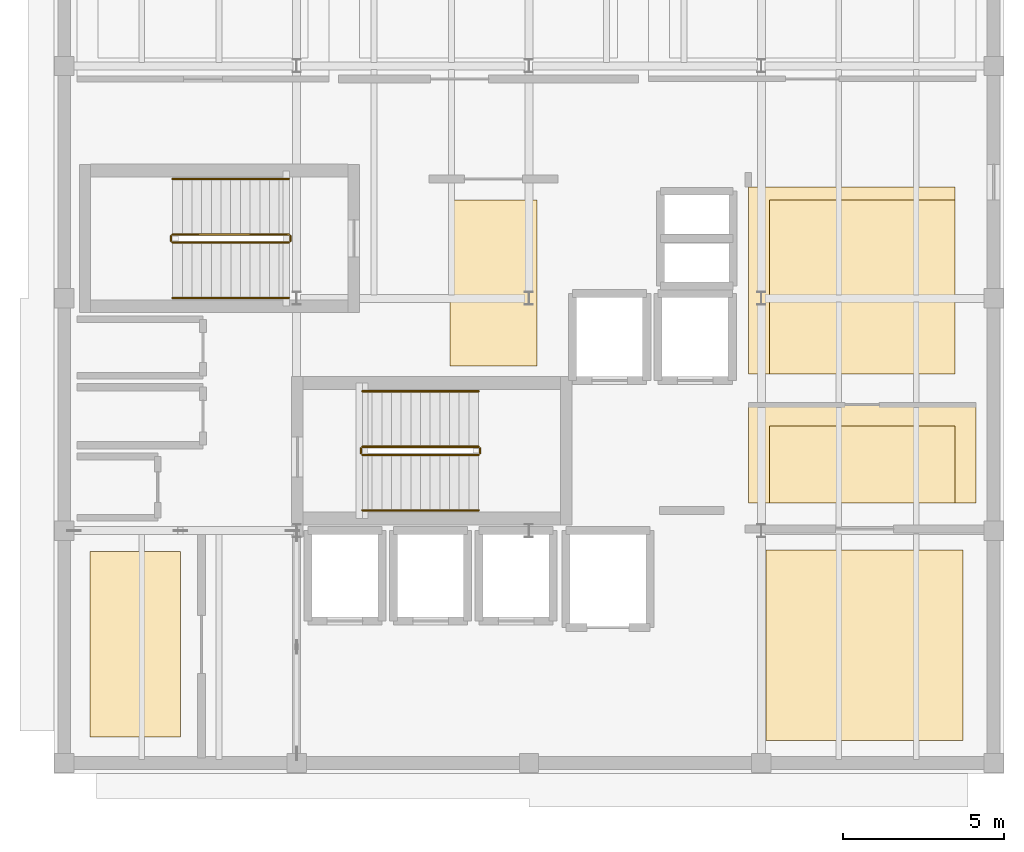
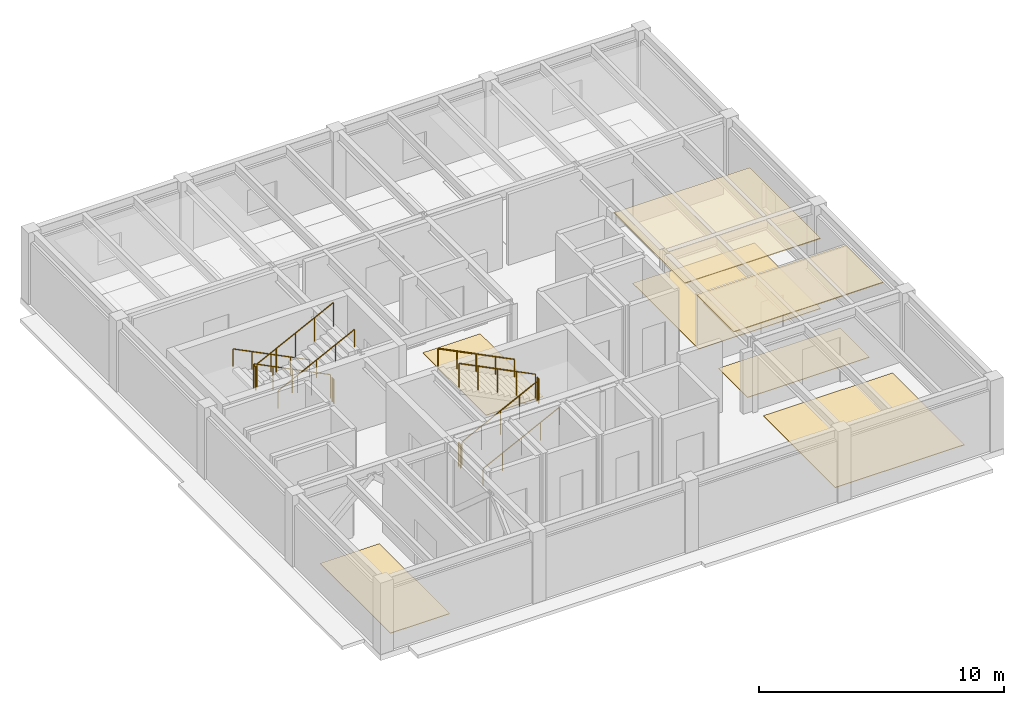
# One storey, part 7 of 8: 12 railings, 7 coverings.
"""IFC4 building model written with IfcOpenShell, lengths in metres."""

from ifc_helpers import new_model, si_unit, direction, frame, origin, origin_2d, place, context, subcontext, project, spatial, polyline, circle, outline, extrude, material, layer, layer_set, type_object, element, save


model = new_model("IFC4")

# Units and contexts
model_context = context("Model", 3, precision=1e-05, world=origin(), true_north=direction((0.0, 1.0)))
body_context = subcontext(model_context, "Body", "Model", "MODEL_VIEW")
ifc_project = project(units=[si_unit("LENGTHUNIT", "METRE"), si_unit("AREAUNIT", "SQUARE_METRE"), si_unit("VOLUMEUNIT", "CUBIC_METRE"), si_unit("PLANEANGLEUNIT", "RADIAN"), si_unit("MASSUNIT", "GRAM", prefix="KILO")], contexts=[model_context])

# Site, building, storey
site_placement = place(None, origin())
site = spatial("IfcSite", under=ifc_project, at=site_placement, CompositionType="ELEMENT")
building_placement = place(site_placement, origin())
building = spatial("IfcBuilding", under=site, at=building_placement, Name="Kandorven Conservatory and Botanical Research Centre", CompositionType="ELEMENT")
storey_placement = place(building_placement, frame((0.0, 0.0, 32.699951171875)))
storey = spatial("IfcBuildingStorey", under=building, at=storey_placement, Name="L08", CompositionType="ELEMENT", Elevation=32.699951171875)

# Coverings
ifc_material_1 = material(Name="Perforated mineral-fibre acoustic ceiling tile", Category="gypsum")
ifc_layer_1 = layer(ifc_material_1, 0.0400390625)
ifc_layer_set_1 = layer_set([ifc_layer_1], Name="Perforated mineral-fibre acoustic ceiling tile")
covering_type_1 = type_object("IfcCoveringType", Name="Cov_Ceiling_1", PredefinedType="CEILING", material=ifc_layer_set_1)
covering_1_placement = place(storey_placement, frame((0.0, 0.0, 3.5)))
element("IfcCovering", 1, at=covering_1_placement, inside=storey, type_object=covering_type_1, Name="Suspended acoustic ceiling CLG-01 (Flora Taxonomy Microscopy Laboratory L08)", PredefinedType="CEILING", context=body_context, shape_type="SweptSolid", body=[
    extrude(outline(polyline([(27.199951171875, 14.050048828125), (34.25, 14.050048828125), (34.25, 17.10009765625), (27.199951171875, 17.10009765625), (27.199951171875, 14.050048828125)])), origin(), (0.0, 0.0, 1.0), 0.0400390625),
])
covering_2_placement = place(storey_placement, frame((0.0, 0.0, 3.5)))
element("IfcCovering", 2, at=covering_2_placement, inside=storey, type_object=covering_type_1, Name="Suspended acoustic ceiling CLG-01 (Herbarium Digitisation and Imaging Studio L08)", PredefinedType="CEILING", context=body_context, shape_type="SweptSolid", body=[
    extrude(outline(polyline([(27.199951171875, 18.050048828125), (33.60009765625, 18.050048828125), (33.60009765625, 23.85009765625), (27.199951171875, 23.85009765625), (27.199951171875, 18.050048828125)])), origin(), (0.0, 0.0, 1.0), 0.0400390625),
])
ifc_material_2 = material(Name="Honed Kota stone and epoxy laboratory flooring", Category="masonry")
ifc_layer_2 = layer(ifc_material_2, 0.02490234375)
ifc_layer_set_2 = layer_set([ifc_layer_2], Name="Honed Kota stone and epoxy laboratory flooring")
covering_type_2 = type_object("IfcCoveringType", Name="Cov_Flooring_1", PredefinedType="FLOORING", material=ifc_layer_set_2)
covering_3_placement = place(storey_placement, origin())
element("IfcCovering", 3, at=covering_3_placement, inside=storey, type_object=covering_type_2, Name="Floor finish FLR-01 (Herbarium Bryophyte Collection Vault L08)", PredefinedType="FLOORING", context=body_context, shape_type="SweptSolid", body=[
    extrude(outline(polyline([(17.949951171875, 18.300048828125), (20.64990234375, 18.300048828125), (20.64990234375, 23.449951171875), (17.949951171875, 23.449951171875), (17.949951171875, 18.300048828125)])), origin(), (0.0, 0.0, 1.0), 0.025146484375),
])
covering_4_placement = place(storey_placement, origin())
element("IfcCovering", 4, at=covering_4_placement, inside=storey, type_object=covering_type_2, Name="Floor finish FLR-01 (Flora Taxonomy Microscopy Laboratory L08)", PredefinedType="FLOORING", context=body_context, shape_type="SweptSolid", body=[
    extrude(outline(polyline([(27.85009765625, 14.050048828125), (33.60009765625, 14.050048828125), (33.60009765625, 16.449951171875), (27.85009765625, 16.449951171875), (27.85009765625, 14.050048828125)])), origin(), (0.0, 0.0, 1.0), 0.025146484375),
])
covering_5_placement = place(storey_placement, origin())
element("IfcCovering", 5, at=covering_5_placement, inside=storey, type_object=covering_type_2, Name="Floor finish FLR-01 (Herbarium Type Specimen Vault L08)", PredefinedType="FLOORING", context=body_context, shape_type="SweptSolid", body=[
    extrude(outline(polyline([(6.800048828125, 6.800048828125), (9.60009765625, 6.800048828125), (9.60009765625, 12.550048828125), (6.800048828125, 12.550048828125), (6.800048828125, 6.800048828125)])), origin(), (0.0, 0.0, 1.0), 0.025146484375),
])
covering_6_placement = place(storey_placement, origin())
element("IfcCovering", 6, at=covering_6_placement, inside=storey, type_object=covering_type_2, Name="Floor finish FLR-01 (Herbarium Vascular Specimen Collection Vault L08)", PredefinedType="FLOORING", context=body_context, shape_type="SweptSolid", body=[
    extrude(outline(polyline([(27.75, 6.699951171875), (33.85009765625, 6.699951171875), (33.85009765625, 12.60009765625), (27.75, 12.60009765625), (27.75, 6.699951171875)])), origin(), (0.0, 0.0, 1.0), 0.025146484375),
])
covering_7_placement = place(storey_placement, origin())
element("IfcCovering", 7, at=covering_7_placement, inside=storey, type_object=covering_type_2, Name="Floor finish FLR-01 (Herbarium Digitisation and Imaging Studio L08)", PredefinedType="FLOORING", context=body_context, shape_type="SweptSolid", body=[
    extrude(outline(polyline([(27.85009765625, 18.050048828125), (33.60009765625, 18.050048828125), (33.60009765625, 23.449951171875), (27.85009765625, 23.449951171875), (27.85009765625, 18.050048828125)])), origin(), (0.0, 0.0, 1.0), 0.025146484375),
])

# Railings
ifc_material_3 = material(Name="Steel S355 (IS 2062 E350)", Category="steel")
railing_type_1 = type_object("IfcRailingType", Name="StairGuard_1150", PredefinedType="BALUSTRADE", material=ifc_material_3)
railing_1_placement = place(storey_placement, frame((15.239990234375, 15.550048828125, 0.150146484375)))
element("IfcRailing", 8, at=railing_1_placement, inside=storey, type_object=railing_type_1, Name="L08 ST-T1 stair guard 1", PredefinedType="BALUSTRADE", context=body_context, shape_type="SweptSolid", body=[
    extrude(circle(Radius=0.02392578125, at=origin_2d()), frame((0.0, 0.0, 1.17578125), z_axis=(0.894451452574, 0.0, 0.447165069061), x_axis=(0.0, 1.0, 0.0)), (0.0, 0.0, 1.0), 4.02490234375),
    extrude(circle(Radius=0.02099609375, at=origin_2d()), origin(), (0.0, 0.0, 1.0), 1.15185546875),
    extrude(circle(Radius=0.02099609375, at=origin_2d()), frame((0.89990234375, 0.0, 0.449951171875)), (0.0, 0.0, 1.0), 1.15185546875),
    extrude(circle(Radius=0.02099609375, at=origin_2d()), frame((1.800048828125, 0.0, 0.89990234375)), (0.0, 0.0, 1.0), 1.15185546875),
    extrude(circle(Radius=0.02099609375, at=origin_2d()), frame((2.7001953125, 0.0, 1.349853515625)), (0.0, 0.0, 1.0), 1.15185546875),
    extrude(circle(Radius=0.02099609375, at=origin_2d()), frame((3.60009765625, 0.0, 1.7998046875)), (0.0, 0.0, 1.0), 1.15185546875),
])
railing_2_placement = place(storey_placement, frame((18.889892578125, 15.60009765625, 1.949951171875)))
element("IfcRailing", 9, at=railing_2_placement, inside=storey, type_object=railing_type_1, Name="L08 ST-T1 stair guard 2", PredefinedType="BALUSTRADE", context=body_context, shape_type="SweptSolid", body=[
    extrude(circle(Radius=0.02392578125, at=origin_2d()), frame((0.0, 0.0, 1.17578125), z_axis=(0.0, 1.0, 0.0), x_axis=(-1.0, 0.0, 0.0)), (0.0, 0.0, 1.0), 0.14990234375),
    extrude(circle(Radius=0.02099609375, at=origin_2d()), origin(), (0.0, 0.0, 1.0), 1.15185546875),
    extrude(circle(Radius=0.02099609375, at=origin_2d()), frame((0.0, 0.14990234375, 0.0)), (0.0, 0.0, 1.0), 1.15185546875),
])
railing_3_placement = place(storey_placement, frame((18.840087890625, 15.800048828125, 2.10009765625)))
element("IfcRailing", 10, at=railing_3_placement, inside=storey, type_object=railing_type_1, Name="L08 ST-T1 stair guard 3", PredefinedType="BALUSTRADE", context=body_context, shape_type="SweptSolid", body=[
    extrude(circle(Radius=0.02392578125, at=origin_2d()), frame((0.0, 0.0, 1.17578125), z_axis=(-0.894427191, 0.0, 0.4472135955), x_axis=(0.0, -1.0, 0.0)), (0.0, 0.0, 1.0), 4.025146484375),
    extrude(circle(Radius=0.02099609375, at=origin_2d()), origin(), (0.0, 0.0, 1.0), 1.15185546875),
    extrude(circle(Radius=0.02099609375, at=origin_2d()), frame((-0.89990234375, 0.0, 0.449951171875)), (0.0, 0.0, 1.0), 1.15185546875),
    extrude(circle(Radius=0.02099609375, at=origin_2d()), frame((-1.800048828125, 0.0, 0.89990234375)), (0.0, 0.0, 1.0), 1.15185546875),
    extrude(circle(Radius=0.02099609375, at=origin_2d()), frame((-2.7001953125, 0.0, 1.35009765625)), (0.0, 0.0, 1.0), 1.15185546875),
    extrude(circle(Radius=0.02099609375, at=origin_2d()), frame((-3.60009765625, 0.0, 1.800048828125)), (0.0, 0.0, 1.0), 1.15185546875),
])
railing_4_placement = place(storey_placement, frame((15.18994140625, 15.60009765625, 0.0)))
element("IfcRailing", 11, at=railing_4_placement, inside=storey, type_object=railing_type_1, Name="L08 ST-T1 stair guard 4", PredefinedType="BALUSTRADE", context=body_context, shape_type="SweptSolid", body=[
    extrude(circle(Radius=0.02392578125, at=origin_2d()), frame((0.0, 0.0, 1.17578125), z_axis=(0.0, 1.0, 0.0), x_axis=(-1.0, 0.0, 0.0)), (0.0, 0.0, 1.0), 0.14990234375),
    extrude(circle(Radius=0.02099609375, at=origin_2d()), origin(), (0.0, 0.0, 1.0), 1.15185546875),
    extrude(circle(Radius=0.02099609375, at=origin_2d()), frame((0.0, 0.14990234375, 0.0)), (0.0, 0.0, 1.0), 1.15185546875),
])
railing_5_placement = place(storey_placement, frame((12.9599609375, 22.3798828125, 0.150146484375)))
element("IfcRailing", 12, at=railing_5_placement, inside=storey, type_object=railing_type_1, Name="L08 ST-T2 stair guard 1", PredefinedType="BALUSTRADE", context=body_context, shape_type="SweptSolid", body=[
    extrude(circle(Radius=0.02392578125, at=origin_2d()), frame((0.0, 0.0, 1.17578125), z_axis=(-0.894439322774, 0.0, 0.447189331129), x_axis=(0.0, -1.0, 0.0)), (0.0, 0.0, 1.0), 4.024658203125),
    extrude(circle(Radius=0.02099609375, at=origin_2d()), origin(), (0.0, 0.0, 1.0), 1.15185546875),
    extrude(circle(Radius=0.02099609375, at=origin_2d()), frame((-0.89990234375, 0.0, 0.449951171875)), (0.0, 0.0, 1.0), 1.15185546875),
    extrude(circle(Radius=0.02099609375, at=origin_2d()), frame((-1.7998046875, 0.0, 0.89990234375)), (0.0, 0.0, 1.0), 1.15185546875),
    extrude(circle(Radius=0.02099609375, at=origin_2d()), frame((-2.699951171875, 0.0, 1.349853515625)), (0.0, 0.0, 1.0), 1.15185546875),
    extrude(circle(Radius=0.02099609375, at=origin_2d()), frame((-3.599853515625, 0.0, 1.7998046875)), (0.0, 0.0, 1.0), 1.15185546875),
])
railing_6_placement = place(storey_placement, frame((9.31005859375, 22.330078125, 1.949951171875)))
element("IfcRailing", 13, at=railing_6_placement, inside=storey, type_object=railing_type_1, Name="L08 ST-T2 stair guard 2", PredefinedType="BALUSTRADE", context=body_context, shape_type="SweptSolid", body=[
    extrude(circle(Radius=0.02392578125, at=origin_2d()), frame((0.0, 0.0, 1.17578125), z_axis=(0.0, -1.0, 0.0), x_axis=(1.0, 0.0, 0.0)), (0.0, 0.0, 1.0), 0.150146484375),
    extrude(circle(Radius=0.02099609375, at=origin_2d()), origin(), (0.0, 0.0, 1.0), 1.15185546875),
    extrude(circle(Radius=0.02099609375, at=origin_2d()), frame((0.0, -0.150146484375, 0.0)), (0.0, 0.0, 1.0), 1.15185546875),
])
railing_7_placement = place(storey_placement, frame((9.360107421875, 22.1298828125, 2.10009765625)))
element("IfcRailing", 14, at=railing_7_placement, inside=storey, type_object=railing_type_1, Name="L08 ST-T2 stair guard 3", PredefinedType="BALUSTRADE", context=body_context, shape_type="SweptSolid", body=[
    extrude(circle(Radius=0.02392578125, at=origin_2d()), frame((0.0, 0.0, 1.17578125), z_axis=(0.894415058897, 0.0, 0.447237858884), x_axis=(0.0, 1.0, 0.0)), (0.0, 0.0, 1.0), 4.02490234375),
    extrude(circle(Radius=0.02099609375, at=origin_2d()), origin(), (0.0, 0.0, 1.0), 1.15185546875),
    extrude(circle(Radius=0.02099609375, at=origin_2d()), frame((0.89990234375, 0.0, 0.449951171875)), (0.0, 0.0, 1.0), 1.15185546875),
    extrude(circle(Radius=0.02099609375, at=origin_2d()), frame((1.7998046875, 0.0, 0.89990234375)), (0.0, 0.0, 1.0), 1.15185546875),
    extrude(circle(Radius=0.02099609375, at=origin_2d()), frame((2.699951171875, 0.0, 1.35009765625)), (0.0, 0.0, 1.0), 1.15185546875),
    extrude(circle(Radius=0.02099609375, at=origin_2d()), frame((3.599853515625, 0.0, 1.800048828125)), (0.0, 0.0, 1.0), 1.15185546875),
])
railing_8_placement = place(storey_placement, frame((13.010009765625, 22.330078125, 0.0)))
element("IfcRailing", 15, at=railing_8_placement, inside=storey, type_object=railing_type_1, Name="L08 ST-T2 stair guard 4", PredefinedType="BALUSTRADE", context=body_context, shape_type="SweptSolid", body=[
    extrude(circle(Radius=0.02392578125, at=origin_2d()), frame((0.0, 0.0, 1.17578125), z_axis=(0.0, -1.0, 0.0), x_axis=(1.0, 0.0, 0.0)), (0.0, 0.0, 1.0), 0.150146484375),
    extrude(circle(Radius=0.02099609375, at=origin_2d()), origin(), (0.0, 0.0, 1.0), 1.15185546875),
    extrude(circle(Radius=0.02099609375, at=origin_2d()), frame((0.0, -0.150146484375, 0.0)), (0.0, 0.0, 1.0), 1.15185546875),
])
ifc_material_4 = material(Name="Steel S355 (IS 2062 E350)", Category="steel")
railing_type_2 = type_object("IfcRailingType", Name="StairHandrail_900", PredefinedType="HANDRAIL", material=ifc_material_4)
railing_9_placement = place(storey_placement, frame((15.239990234375, 13.830078125, 0.150146484375)))
element("IfcRailing", 16, at=railing_9_placement, inside=storey, type_object=railing_type_2, Name="L08 ST-T1 stair handrail 1", PredefinedType="HANDRAIL", context=body_context, shape_type="SweptSolid", body=[
    extrude(circle(Radius=0.02392578125, at=origin_2d()), frame((0.0, 0.0, 0.8759765625), z_axis=(0.894451452574, 0.0, 0.447165069061), x_axis=(0.0, 1.0, 0.0)), (0.0, 0.0, 1.0), 4.02490234375),
    extrude(circle(Radius=0.02099609375, at=origin_2d()), origin(), (0.0, 0.0, 1.0), 0.851806640625),
    extrude(circle(Radius=0.02099609375, at=origin_2d()), frame((0.89990234375, 0.0, 0.449951171875)), (0.0, 0.0, 1.0), 0.851806640625),
    extrude(circle(Radius=0.02099609375, at=origin_2d()), frame((1.800048828125, 0.0, 0.89990234375)), (0.0, 0.0, 1.0), 0.851806640625),
    extrude(circle(Radius=0.02099609375, at=origin_2d()), frame((2.7001953125, 0.0, 1.349853515625)), (0.0, 0.0, 1.0), 0.851806640625),
    extrude(circle(Radius=0.02099609375, at=origin_2d()), frame((3.60009765625, 0.0, 1.7998046875)), (0.0, 0.0, 1.0), 0.851806640625),
])
railing_10_placement = place(storey_placement, frame((18.840087890625, 17.52001953125, 2.10009765625)))
element("IfcRailing", 17, at=railing_10_placement, inside=storey, type_object=railing_type_2, Name="L08 ST-T1 stair handrail 2", PredefinedType="HANDRAIL", context=body_context, shape_type="SweptSolid", body=[
    extrude(circle(Radius=0.02392578125, at=origin_2d()), frame((0.0, 0.0, 0.8759765625), z_axis=(-0.894427191, 0.0, 0.4472135955), x_axis=(0.0, -1.0, 0.0)), (0.0, 0.0, 1.0), 4.025146484375),
    extrude(circle(Radius=0.02099609375, at=origin_2d()), origin(), (0.0, 0.0, 1.0), 0.851806640625),
    extrude(circle(Radius=0.02099609375, at=origin_2d()), frame((-0.89990234375, 0.0, 0.449951171875)), (0.0, 0.0, 1.0), 0.851806640625),
    extrude(circle(Radius=0.02099609375, at=origin_2d()), frame((-1.800048828125, 0.0, 0.89990234375)), (0.0, 0.0, 1.0), 0.851806640625),
    extrude(circle(Radius=0.02099609375, at=origin_2d()), frame((-2.7001953125, 0.0, 1.35009765625)), (0.0, 0.0, 1.0), 0.851806640625),
    extrude(circle(Radius=0.02099609375, at=origin_2d()), frame((-3.60009765625, 0.0, 1.800048828125)), (0.0, 0.0, 1.0), 0.851806640625),
])
railing_11_placement = place(storey_placement, frame((12.9599609375, 24.10009765625, 0.150146484375)))
element("IfcRailing", 18, at=railing_11_placement, inside=storey, type_object=railing_type_2, Name="L08 ST-T2 stair handrail 1", PredefinedType="HANDRAIL", context=body_context, shape_type="SweptSolid", body=[
    extrude(circle(Radius=0.02392578125, at=origin_2d()), frame((0.0, 0.0, 0.8759765625), z_axis=(-0.894439322774, 0.0, 0.447189331129), x_axis=(0.0, -1.0, 0.0)), (0.0, 0.0, 1.0), 4.024658203125),
    extrude(circle(Radius=0.02099609375, at=origin_2d()), origin(), (0.0, 0.0, 1.0), 0.851806640625),
    extrude(circle(Radius=0.02099609375, at=origin_2d()), frame((-0.89990234375, 0.0, 0.449951171875)), (0.0, 0.0, 1.0), 0.851806640625),
    extrude(circle(Radius=0.02099609375, at=origin_2d()), frame((-1.7998046875, 0.0, 0.89990234375)), (0.0, 0.0, 1.0), 0.851806640625),
    extrude(circle(Radius=0.02099609375, at=origin_2d()), frame((-2.699951171875, 0.0, 1.349853515625)), (0.0, 0.0, 1.0), 0.851806640625),
    extrude(circle(Radius=0.02099609375, at=origin_2d()), frame((-3.599853515625, 0.0, 1.7998046875)), (0.0, 0.0, 1.0), 0.851806640625),
])
railing_12_placement = place(storey_placement, frame((9.360107421875, 20.409912109375, 2.10009765625)))
element("IfcRailing", 19, at=railing_12_placement, inside=storey, type_object=railing_type_2, Name="L08 ST-T2 stair handrail 2", PredefinedType="HANDRAIL", context=body_context, shape_type="SweptSolid", body=[
    extrude(circle(Radius=0.02392578125, at=origin_2d()), frame((0.0, 0.0, 0.8759765625), z_axis=(0.894415058897, 0.0, 0.447237858884), x_axis=(0.0, 1.0, 0.0)), (0.0, 0.0, 1.0), 4.02490234375),
    extrude(circle(Radius=0.02099609375, at=origin_2d()), origin(), (0.0, 0.0, 1.0), 0.851806640625),
    extrude(circle(Radius=0.02099609375, at=origin_2d()), frame((0.89990234375, 0.0, 0.449951171875)), (0.0, 0.0, 1.0), 0.851806640625),
    extrude(circle(Radius=0.02099609375, at=origin_2d()), frame((1.7998046875, 0.0, 0.89990234375)), (0.0, 0.0, 1.0), 0.851806640625),
    extrude(circle(Radius=0.02099609375, at=origin_2d()), frame((2.699951171875, 0.0, 1.35009765625)), (0.0, 0.0, 1.0), 0.851806640625),
    extrude(circle(Radius=0.02099609375, at=origin_2d()), frame((3.599853515625, 0.0, 1.800048828125)), (0.0, 0.0, 1.0), 0.851806640625),
])

save(model, "model.ifc")
